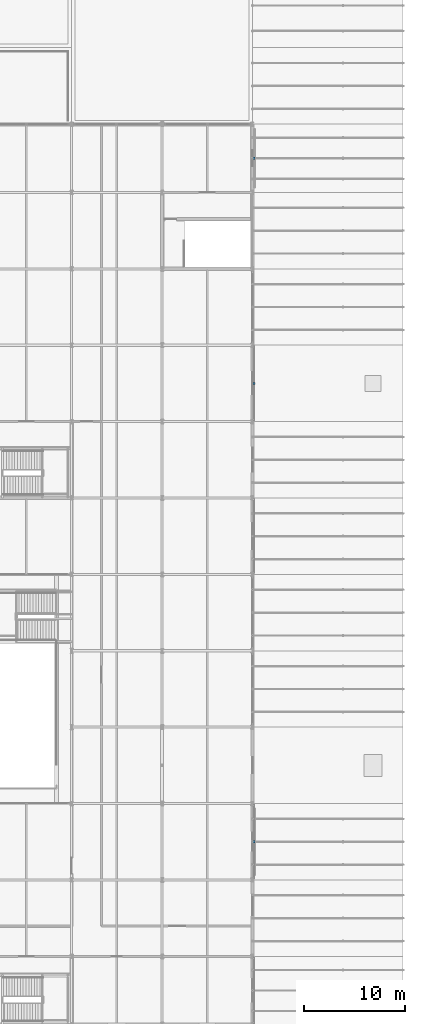
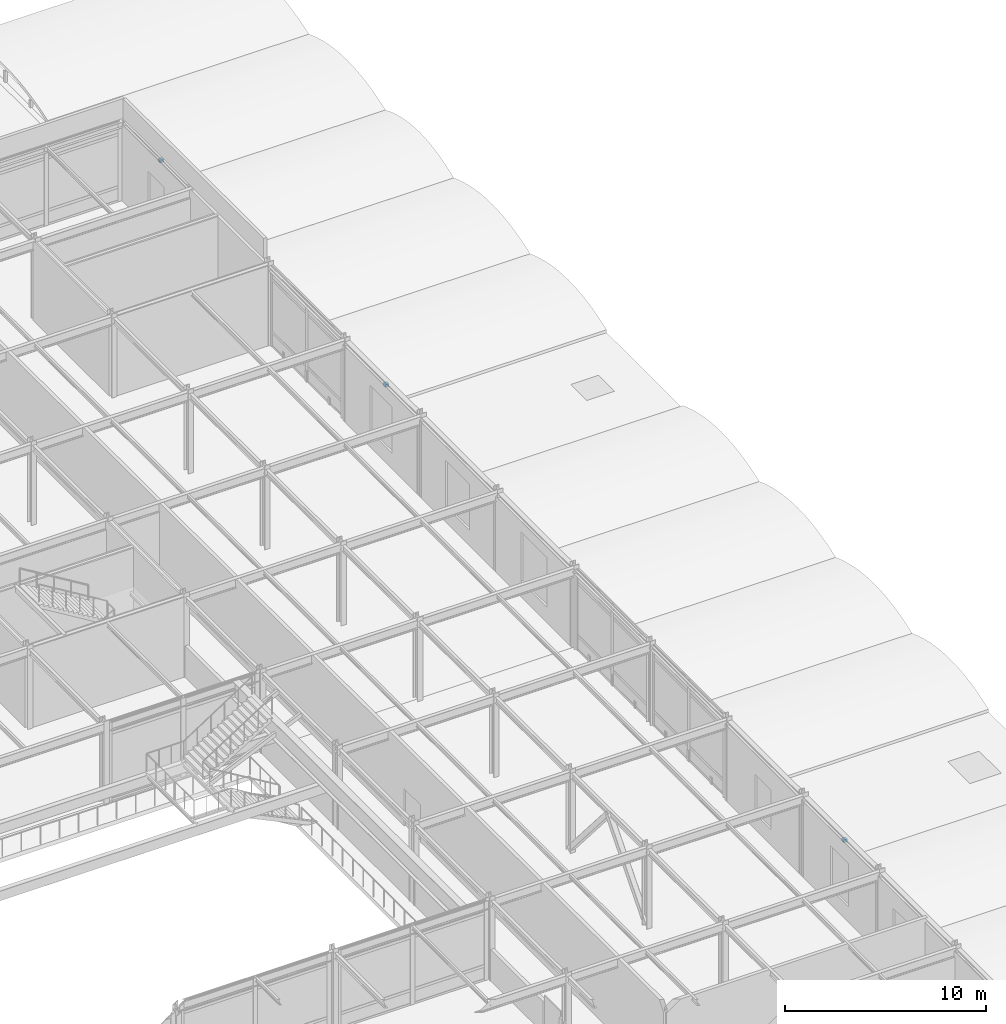
# One storey, part 107 of 113: 3 discrete accessories.
"""IFC4 building model written with IfcOpenShell, lengths in metres."""

from ifc_helpers import new_model, si_unit, direction, frame, origin, origin_2d, place, context, subcontext, project, spatial, rectangle, extrude, material, type_object, element, save


model = new_model("IFC4")

# Units and contexts
model_context = context("Model", 3, precision=1e-05, world=origin(), true_north=direction((0.0, 1.0)))
body_context = subcontext(model_context, "Body", "Model", "MODEL_VIEW")
ifc_project = project(units=[si_unit("LENGTHUNIT", "METRE"), si_unit("AREAUNIT", "SQUARE_METRE"), si_unit("VOLUMEUNIT", "CUBIC_METRE"), si_unit("PLANEANGLEUNIT", "RADIAN"), si_unit("MASSUNIT", "GRAM", prefix="KILO")], contexts=[model_context])

# Site, building, storey
site_placement = place(None, origin())
site = spatial("IfcSite", under=ifc_project, at=site_placement, CompositionType="ELEMENT")
building_placement = place(site_placement, origin())
building = spatial("IfcBuilding", under=site, at=building_placement, Name="Shalkamar Park Central Library", CompositionType="ELEMENT")
storey_placement = place(building_placement, frame((0.0, 0.0, 5.39990234375)))
storey = spatial("IfcBuildingStorey", under=building, at=storey_placement, Name="L02", CompositionType="ELEMENT", Elevation=5.39990234375)

# Discrete accessories
ifc_material = material(Name="Steel S355", Category="steel")
discrete_accessory_type = type_object("IfcDiscreteAccessoryType", Name="Stainless Facade Bracket", PredefinedType="BRACKET", material=ifc_material)
for number, where, z_axis, x_axis, name in (
    (1, (273.14501953125, 266.60009765625, 4.283203125), (0.0, 0.0, 1.0), (1.0, 0.0, 0.0), "Frieze Fixing Bracket L02-032"),
    (2, (273.14501953125, 312.199951171875, 4.283203125), (0.0, 0.0, 1.0), (1.0, 0.0, 0.0), "Frieze Fixing Bracket L02-033"),
    (3, (273.14501953125, 334.60009765625, 4.31298828125), (0.0, 0.0, 1.0), (1.0, 0.0, 0.0), "Frieze Fixing Bracket L02-034"),
):
    element("IfcDiscreteAccessory", number, at=place(storey_placement, frame(where, z_axis=z_axis, x_axis=x_axis)), inside=storey, type_object=discrete_accessory_type, Name=name, PredefinedType="BRACKET", context=body_context, shape_type="SweptSolid", body=[
        extrude(rectangle(XDim=0.219970703125, YDim=0.219970703125, at=origin_2d()), origin(), (0.0, 0.0, 1.0), 0.159912109375),
    ])

save(model, "model.ifc")
